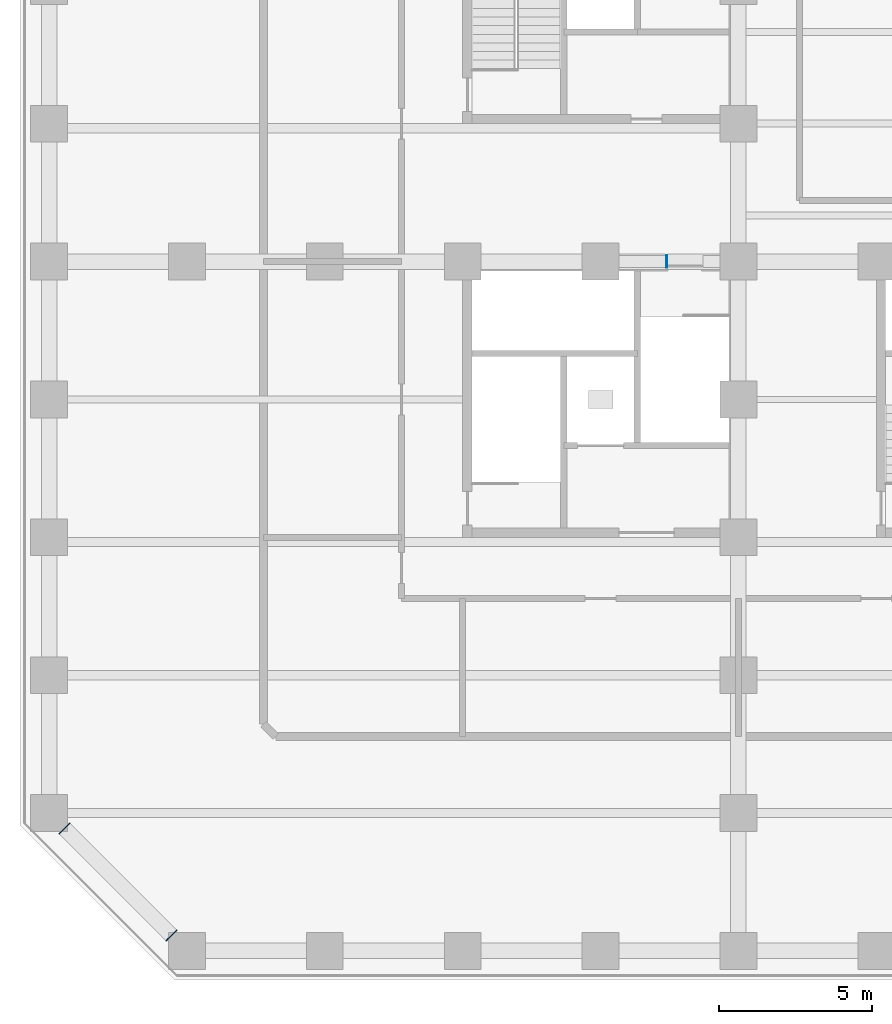
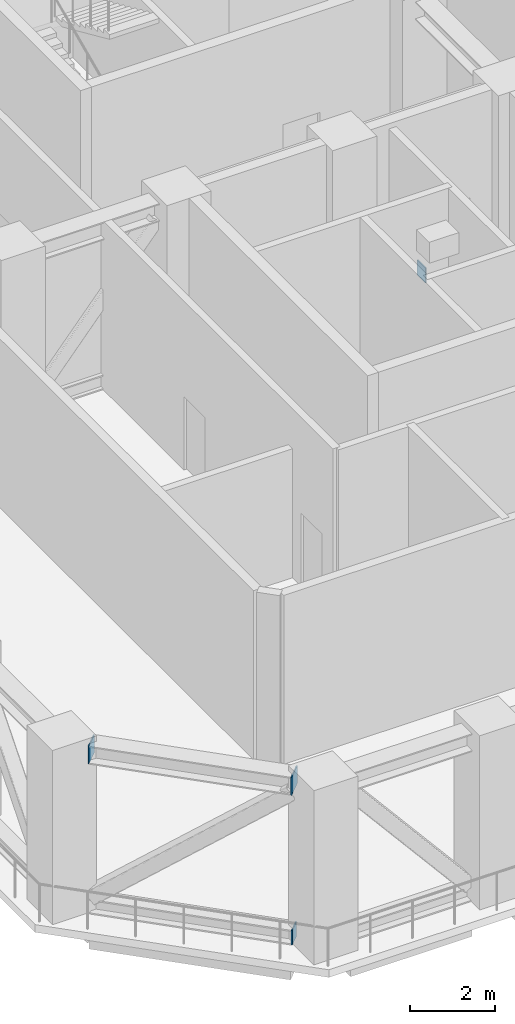
# One storey, part 10 of 16: 4 discrete accessories.
"""IFC4 building model written with IfcOpenShell, lengths in metres."""

from ifc_helpers import new_model, si_unit, direction, frame, origin, origin_2d, place, context, subcontext, project, spatial, rectangle, extrude, material, element, save


model = new_model("IFC4")

# Units and contexts
model_context = context("Model", 3, precision=1e-05, world=origin(), true_north=direction((0.0, 1.0)))
body_context = subcontext(model_context, "Body", "Model", "MODEL_VIEW")
ifc_project = project(units=[si_unit("LENGTHUNIT", "METRE"), si_unit("AREAUNIT", "SQUARE_METRE"), si_unit("VOLUMEUNIT", "CUBIC_METRE"), si_unit("PLANEANGLEUNIT", "RADIAN"), si_unit("MASSUNIT", "GRAM", prefix="KILO")], contexts=[model_context])

# Site, building, storey
site_placement = place(None, origin())
site = spatial("IfcSite", under=ifc_project, at=site_placement, CompositionType="ELEMENT")
building_placement = place(site_placement, origin())
building = spatial("IfcBuilding", under=site, at=building_placement, Name="Quoin Convention Tower", CompositionType="ELEMENT")
storey_placement = place(building_placement, frame((0.0, 0.0, 69.300048828125)))
storey = spatial("IfcBuildingStorey", under=building, at=storey_placement, Name="L18", CompositionType="ELEMENT", Elevation=69.300048828125)

# Discrete accessories
ifc_material = material(Name="Steel Grade 350", Category="steel")
discrete_accessory_1_placement = place(storey_placement, frame((17.49560546875, 18.50439453125, 0.0), z_axis=(0.0, 0.0, 1.0), x_axis=(0.707106781187, -0.707106781187, 0.0)))
element("IfcDiscreteAccessory", 1, at=discrete_accessory_1_placement, inside=storey, material=ifc_material, Name="TRUSS END PLATE TRS-L18-BC-13500_22500-18000_18000 B", ObjectType="Truss end plate", PredefinedType="USERDEFINED", context=body_context, shape_type="SweptSolid", body=[
    extrude(rectangle(XDim=0.030029296875, YDim=0.39990234375, at=origin_2d()), origin(), (0.0, 0.0, 1.0), 0.422119140625),
])
for number, where, z_axis, x_axis, name in (
    (2, (14.00439453125, 21.99560546875, 4.3359375), (0.0, 0.0, 1.0), (-0.707106781187, 0.707106781187, 0.0), "TRUSS END PLATE TRS-L18-TC-13500_22500-18000_18000 A"),
    (3, (17.49560546875, 18.50439453125, 4.3359375), (0.0, 0.0, 1.0), (0.707106781187, -0.707106781187, 0.0), "TRUSS END PLATE TRS-L18-TC-13500_22500-18000_18000 B"),
):
    element("IfcDiscreteAccessory", number, at=place(storey_placement, frame(where, z_axis=z_axis, x_axis=x_axis)), inside=storey, material=ifc_material, Name=name, ObjectType="Truss end plate", PredefinedType="USERDEFINED", context=body_context, shape_type="SweptSolid", body=[
        extrude(rectangle(XDim=0.030029296875, YDim=0.5, at=origin_2d()), origin(), (0.0, 0.0, 1.0), 0.513916015625),
    ])
discrete_accessory_2_placement = place(storey_placement, frame((33.6650390625, 40.5, 0.0), z_axis=(0.0, 0.0, 1.0), x_axis=(1.0, 0.0, 0.0)))
element("IfcDiscreteAccessory", 4, at=discrete_accessory_2_placement, inside=storey, material=ifc_material, Name="TRUSS END PLATE TRS-L18-BC-31500_40500-36000_40500-A B", ObjectType="Truss end plate", PredefinedType="USERDEFINED", context=body_context, shape_type="SweptSolid", body=[
    extrude(rectangle(XDim=0.030029296875, YDim=0.39990234375, at=origin_2d()), origin(), (0.0, 0.0, 1.0), 0.422119140625),
])

save(model, "model.ifc")
